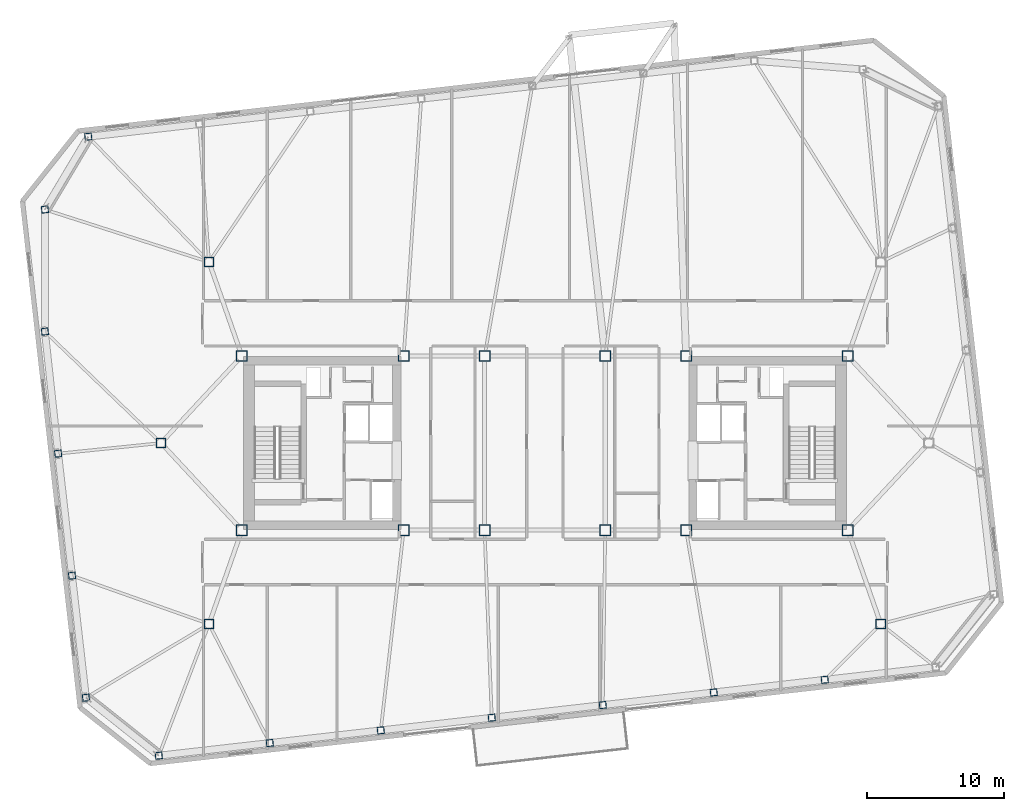
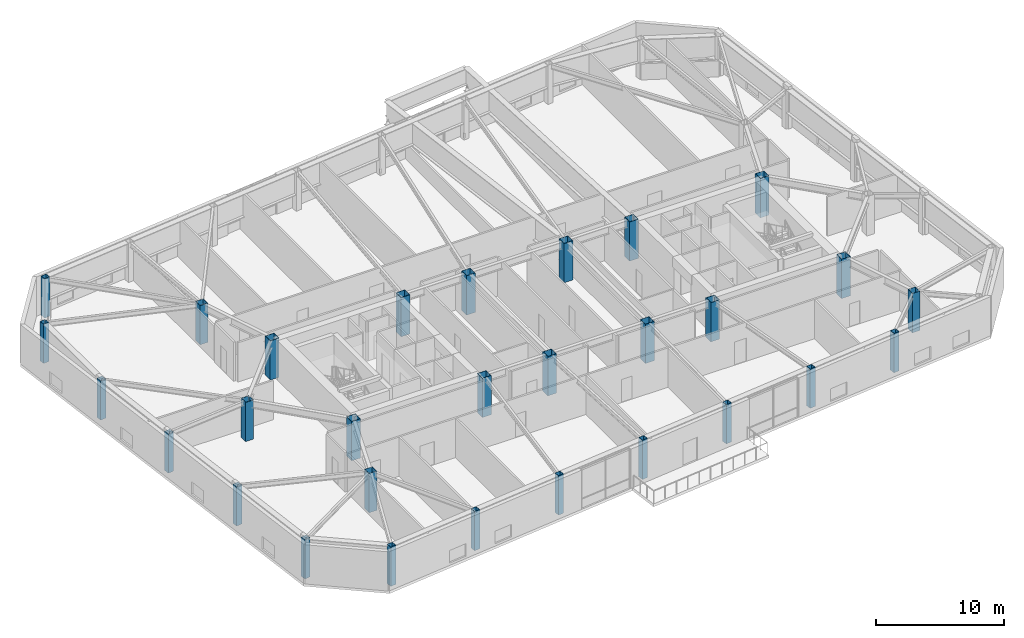
# One storey, part 1 of 20: 29 columns.
"""IFC4 building model written with IfcOpenShell, lengths in metres."""

from ifc_helpers import new_model, si_unit, direction, frame, origin, origin_2d, place, context, subcontext, project, spatial, hollow_rectangle, extrude, material, material_profile, profile_set, type_object, element, save


model = new_model("IFC4")

# Units and contexts
model_context = context("Model", 3, precision=1e-05, world=origin(), true_north=direction((0.0, 1.0)))
body_context = subcontext(model_context, "Body", "Model", "MODEL_VIEW")
ifc_project = project(units=[si_unit("LENGTHUNIT", "METRE"), si_unit("AREAUNIT", "SQUARE_METRE"), si_unit("VOLUMEUNIT", "CUBIC_METRE"), si_unit("PLANEANGLEUNIT", "RADIAN"), si_unit("MASSUNIT", "GRAM", prefix="KILO")], contexts=[model_context])

# Site, building, storey
site_placement = place(None, origin())
site = spatial("IfcSite", under=ifc_project, at=site_placement, CompositionType="ELEMENT")
building_placement = place(site_placement, origin())
building = spatial("IfcBuilding", under=site, at=building_placement, Name="Tavrogorsk Clinical Tower", CompositionType="ELEMENT")
storey_placement = place(building_placement, frame((0.0, 0.0, 234.199951171875)))
storey = spatial("IfcBuildingStorey", under=building, at=storey_placement, Name="L54", CompositionType="ELEMENT", Elevation=234.199951171875)

# Columns
ifc_material_1 = material(Name="Structural steel S440", Category="steel")
ifc_material_profile_1 = material_profile(ifc_material_1, hollow_rectangle(XDim=0.699951171875, YDim=0.699951171875, WallThickness=0.031982421875, at=origin_2d()), Name="BOX-700x700x32")
ifc_profile_set_1 = profile_set([ifc_material_profile_1], Name="Structural steel S440")
column_type_1 = type_object("IfcColumnType", Name="MegaCol_BOX700", PredefinedType="COLUMN", material=ifc_profile_set_1)
for number, where, z_axis, x_axis, name in (
    (1, (-24.5, -13.199951171875, 0.0), (0.0, 0.0, 1.0), (1.0, 0.0, 0.0), "L54 Spine Pilotis Column MC-P1"),
    (2, (24.5, -13.199951171875, 0.0), (0.0, 0.0, 1.0), (1.0, 0.0, 0.0), "L54 Spine Pilotis Column MC-P2"),
    (3, (-24.5, 13.199951171875, 0.0), (0.0, 0.0, 1.0), (1.0, 0.0, 0.0), "L54 Spine Pilotis Column MC-P3"),
    (4, (-28.0, 0.0, 0.0), (0.0, 0.0, 1.0), (1.0, 0.0, 0.0), "L54 Spine Pilotis Column MC-P5"),
):
    element("IfcColumn", number, at=place(storey_placement, frame(where, z_axis=z_axis, x_axis=x_axis)), inside=storey, type_object=column_type_1, Name=name, PredefinedType="COLUMN", context=body_context, shape_type="SweptSolid", body=[
        extrude(hollow_rectangle(XDim=0.699951171875, YDim=0.699951171875, WallThickness=0.031982421875, at=origin_2d()), origin(), (0.0, 0.0, 1.0), 3.739990234375),
    ])
ifc_material_2 = material(Name="Structural steel S440", Category="steel")
ifc_material_profile_2 = material_profile(ifc_material_2, hollow_rectangle(XDim=0.800048828125, YDim=0.800048828125, WallThickness=0.035888671875, at=origin_2d()), Name="BOX-800x800x36")
ifc_profile_set_2 = profile_set([ifc_material_profile_2], Name="Structural steel S440")
column_type_2 = type_object("IfcColumnType", Name="MegaCol_BOX800", PredefinedType="COLUMN", material=ifc_profile_set_2)
for number, where, z_axis, x_axis, name in (
    (5, (-22.10009765625, -6.35009765625, 0.0), (0.0, 0.0, 1.0), (1.0, 0.0, 0.0), "L54 Mega Column MC-W1"),
    (6, (-22.10009765625, 6.35009765625, 0.0), (0.0, 0.0, 1.0), (1.0, 0.0, 0.0), "L54 Mega Column MC-W2"),
    (7, (-10.300048828125, -6.35009765625, 0.0), (0.0, 0.0, 1.0), (1.0, 0.0, 0.0), "L54 Mega Column MC-W3"),
    (8, (-10.300048828125, 6.35009765625, 0.0), (0.0, 0.0, 1.0), (1.0, 0.0, 0.0), "L54 Mega Column MC-W4"),
    (9, (10.300048828125, -6.35009765625, 0.0), (0.0, 0.0, 1.0), (1.0, 0.0, 0.0), "L54 Mega Column MC-E1"),
    (10, (10.300048828125, 6.35009765625, 0.0), (0.0, 0.0, 1.0), (1.0, 0.0, 0.0), "L54 Mega Column MC-E2"),
    (11, (22.10009765625, -6.35009765625, 0.0), (0.0, 0.0, 1.0), (1.0, 0.0, 0.0), "L54 Mega Column MC-E3"),
    (12, (22.10009765625, 6.35009765625, 0.0), (0.0, 0.0, 1.0), (1.0, 0.0, 0.0), "L54 Mega Column MC-E4"),
    (13, (-4.39990234375, -6.35009765625, 0.0), (0.0, 0.0, 1.0), (1.0, 0.0, 0.0), "L54 Mega Column MC-C1"),
    (14, (4.39990234375, -6.35009765625, 0.0), (0.0, 0.0, 1.0), (1.0, 0.0, 0.0), "L54 Mega Column MC-C2"),
    (15, (-4.39990234375, 6.35009765625, 0.0), (0.0, 0.0, 1.0), (1.0, 0.0, 0.0), "L54 Mega Column MC-C3"),
    (16, (4.39990234375, 6.35009765625, 0.0), (0.0, 0.0, 1.0), (1.0, 0.0, 0.0), "L54 Mega Column MC-C4"),
):
    element("IfcColumn", number, at=place(storey_placement, frame(where, z_axis=z_axis, x_axis=x_axis)), inside=storey, type_object=column_type_2, Name=name, PredefinedType="COLUMN", context=body_context, shape_type="SweptSolid", body=[
        extrude(hollow_rectangle(XDim=0.800048828125, YDim=0.800048828125, WallThickness=0.035888671875, at=origin_2d()), origin(), (0.0, 0.0, 1.0), 3.739990234375),
    ])
ifc_material_3 = material(Name="Structural steel S440", Category="steel")
ifc_material_profile_3 = material_profile(ifc_material_3, hollow_rectangle(XDim=0.5, YDim=0.5, WallThickness=0.02490234375, at=origin_2d()), Name="BOX-500x500x25")
ifc_profile_set_3 = profile_set([ifc_material_profile_3], Name="Structural steel S440")
column_type_3 = type_object("IfcColumnType", Name="PerimCol_B4_BOX500", PredefinedType="COLUMN", material=ifc_profile_set_3)
for number, where, z_axis, x_axis, name in (
    (17, (-28.164794921875, -22.802490234375, 0.0), (0.0, 0.0, 1.0), (0.993571855677, 0.113203213768, 0.0), "L54 Perimeter Column S1"),
    (18, (-20.068603515625, -21.880126953125, 0.0), (0.0, 0.0, 1.0), (0.993571855677, 0.113203213768, 0.0), "L54 Perimeter Column S2"),
    (19, (-11.972412109375, -20.95751953125, 0.0), (0.0, 0.0, 1.0), (0.993571855677, 0.113203213768, 0.0), "L54 Perimeter Column S3"),
    (20, (-3.876220703125, -20.03515625, 0.0), (0.0, 0.0, 1.0), (0.993571855677, 0.113203213768, 0.0), "L54 Perimeter Column S4"),
    (21, (4.22021484375, -19.11279296875, 0.0), (0.0, 0.0, 1.0), (0.993571855677, 0.113203213768, 0.0), "L54 Perimeter Column S5"),
    (22, (12.31640625, -18.190185546875, 0.0), (0.0, 0.0, 1.0), (0.993571855677, 0.113203213768, 0.0), "L54 Perimeter Column S6"),
    (23, (20.412353515625, -17.267822265625, 0.0), (0.0, 0.0, 1.0), (0.993571855677, 0.113203213768, 0.0), "L54 Perimeter Column S7"),
    (24, (-33.30859375, 22.345458984375, 0.0), (0.0, 0.0, 1.0), (0.993571855677, 0.113203213768, 0.0), "L54 Perimeter Column N8"),
    (25, (-36.469970703125, 17.032958984375, 0.0), (0.0, 0.0, 1.0), (0.993571855677, 0.113203213768, 0.0), "L54 Perimeter Column W1"),
    (26, (-36.469970703125, 8.130615234375, 0.0), (0.0, 0.0, 1.0), (0.993571855677, 0.113203213768, 0.0), "L54 Perimeter Column W2"),
    (27, (-35.505859375, -0.77197265625, 0.0), (0.0, 0.0, 1.0), (0.993571855677, 0.113203213768, 0.0), "L54 Perimeter Column W3"),
    (28, (-34.491455078125, -9.67431640625, 0.0), (0.0, 0.0, 1.0), (0.993571855677, 0.113203213768, 0.0), "L54 Perimeter Column W4"),
    (29, (-33.477294921875, -18.57666015625, 0.0), (0.0, 0.0, 1.0), (0.993571855677, 0.113203213768, 0.0), "L54 Perimeter Column W5"),
):
    element("IfcColumn", number, at=place(storey_placement, frame(where, z_axis=z_axis, x_axis=x_axis)), inside=storey, type_object=column_type_3, Name=name, PredefinedType="COLUMN", context=body_context, shape_type="SweptSolid", body=[
        extrude(hollow_rectangle(XDim=0.5, YDim=0.5, WallThickness=0.02490234375, at=origin_2d()), origin(), (0.0, 0.0, 1.0), 3.739990234375),
    ])

save(model, "model.ifc")
